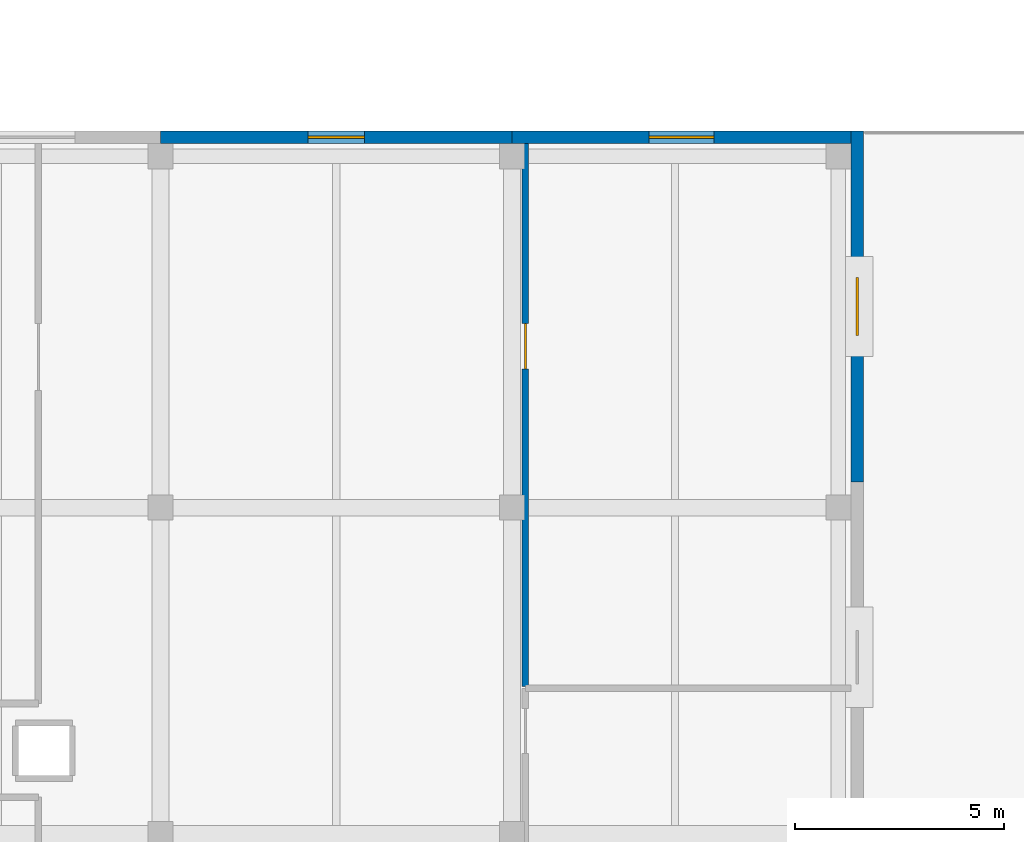
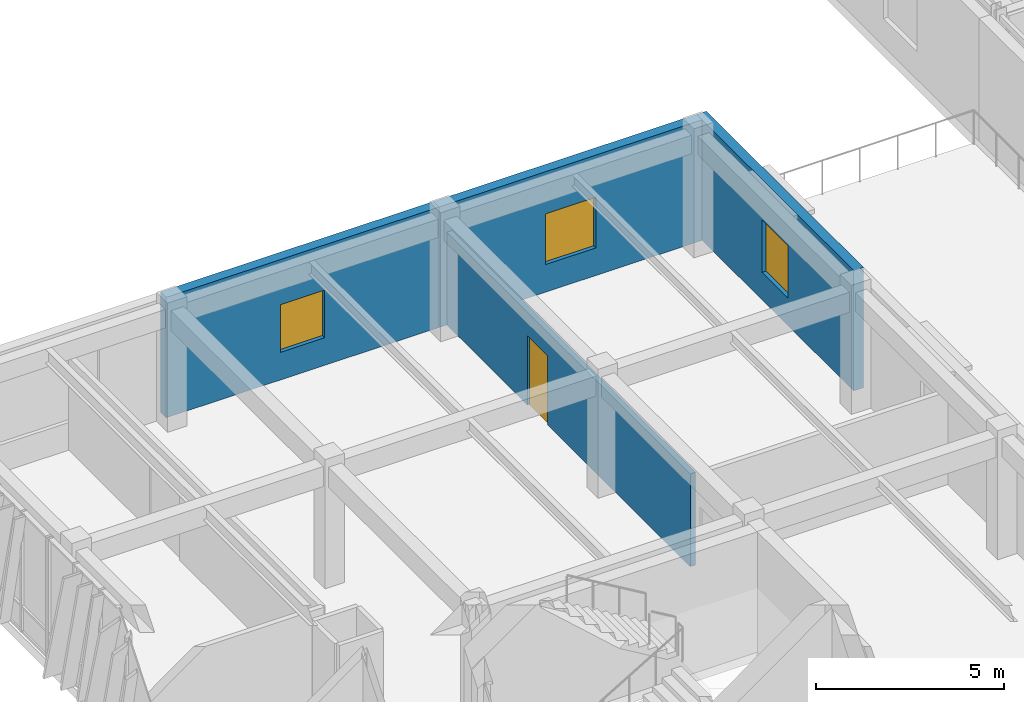
# One storey, part 110 of 127: 4 walls, 3 windows, 1 door, 4 openings.
"""IFC4 building model written with IfcOpenShell, lengths in metres."""

from ifc_helpers import new_model, si_unit, direction, frame, frame_2d, origin, place, context, subcontext, project, spatial, rectangle, extrude, material, layer, layer_set, type_object, element, fill, save


model = new_model("IFC4")

# Units and contexts
model_context = context("Model", 3, precision=1e-05, world=origin(), true_north=direction((0.0, 1.0)))
body_context = subcontext(model_context, "Body", "Model", "MODEL_VIEW")
ifc_project = project(units=[si_unit("LENGTHUNIT", "METRE"), si_unit("AREAUNIT", "SQUARE_METRE"), si_unit("VOLUMEUNIT", "CUBIC_METRE"), si_unit("PLANEANGLEUNIT", "RADIAN"), si_unit("MASSUNIT", "GRAM", prefix="KILO")], contexts=[model_context])

# Site, building, storey
site_placement = place(None, origin())
site = spatial("IfcSite", under=ifc_project, at=site_placement, CompositionType="ELEMENT")
building_placement = place(site_placement, origin())
building = spatial("IfcBuilding", under=site, at=building_placement, Name="Zayran Congress Hotel", CompositionType="ELEMENT")
storey_placement = place(building_placement, frame((0.0, 0.0, 10.800048828125)))
storey = spatial("IfcBuildingStorey", under=building, at=storey_placement, Name="L02", CompositionType="ELEMENT", Elevation=10.800048828125)

# Wall, opening, window
ifc_material_1 = material(Name="Ajlun white limestone and insulated concrete C32/40", Category="masonry")
ifc_layer_1 = layer(ifc_material_1, 0.300048828125)
ifc_layer_set_1 = layer_set([ifc_layer_1], Name="Ajlun white limestone and insulated concrete C32/40")
wall_type_1 = type_object("IfcWallType", Name="WL-EX-300", PredefinedType="SOLIDWALL", material=ifc_layer_set_1)
wall_1_placement = place(storey_placement, frame((117.60009765625, 109.449951171875, 0.0), z_axis=(0.0, 0.0, 1.0), x_axis=(1.0, 0.0, 0.0)))
wall_1 = element("IfcWall", 1, at=wall_1_placement, inside=storey, type_object=wall_type_1, Name="EW-V4-N-L02-1", PredefinedType="SOLIDWALL", context=body_context, shape_type="SweptSolid", body=[
    extrude(rectangle(XDim=8.39990234375, YDim=0.300048828125, at=frame_2d((4.199951171875, 0.0))), origin(), (0.0, 0.0, 1.0), 3.919921875),
])
opening_1_placement = place(wall_1_placement, frame((3.52490234375, 0.0, 0.89990234375)))
opening_1 = element("IfcOpeningElement", 2, at=opening_1_placement, cuts=wall_1, Name="Opening WN-24", PredefinedType="OPENING", context=body_context, shape_type="SweptSolid", body=[
    extrude(rectangle(XDim=1.35009765625, YDim=1.550048828125, at=frame_2d((0.675048828125, 0.77490234375))), frame((0.0, 0.159912109375, 0.0), z_axis=(0.0, -1.0, 0.0), x_axis=(1.0, 0.0, 0.0)), (0.0, 0.0, 1.0), 0.320068359375),
])
ifc_material_2 = material(Name="Anodised aluminium and low-E insulated glass", Category="aluminium")
window_type_1 = type_object("IfcWindowType", Name="TP-WN-24", PartitioningType="SINGLE_PANEL", PredefinedType="WINDOW", material=ifc_material_2)
window_1_placement = place(opening_1_placement, origin())
window_1 = element("IfcWindow", 3, at=window_1_placement, inside=storey, type_object=window_type_1, Name="WIN-V4-0136", OverallHeight=1.550048828125, OverallWidth=1.35009765625, PartitioningType="SINGLE_PANEL", PredefinedType="WINDOW", context=body_context, shape_type="SweptSolid", body=[
    extrude(rectangle(XDim=1.35009765625, YDim=1.550048828125, at=frame_2d((0.675048828125, 0.77490234375))), frame((0.0, 0.030029296875, 0.0), z_axis=(0.0, -1.0, 0.0), x_axis=(1.0, 0.0, 0.0)), (0.0, 0.0, 1.0), 0.06005859375),
])
fill(opening_1, window_1)

wall_2_placement = place(storey_placement, frame((126.0, 109.449951171875, 0.0), z_axis=(0.0, 0.0, 1.0), x_axis=(1.0, 0.0, 0.0)))
wall_2 = element("IfcWall", 4, at=wall_2_placement, inside=storey, type_object=wall_type_1, Name="EW-V4-N-L02-2", PredefinedType="SOLIDWALL", context=body_context, shape_type="SweptSolid", body=[
    extrude(rectangle(XDim=8.10009765625, YDim=0.300048828125, at=frame_2d((4.050048828125, 0.0))), origin(), (0.0, 0.0, 1.0), 3.919921875),
])
opening_2_placement = place(wall_2_placement, frame((3.27490234375, 0.0, 0.89990234375)))
opening_2 = element("IfcOpeningElement", 5, at=opening_2_placement, cuts=wall_2, Name="Opening WN-26", PredefinedType="OPENING", context=body_context, shape_type="SweptSolid", body=[
    extrude(rectangle(XDim=1.550048828125, YDim=1.64990234375, at=frame_2d((0.77490234375, 0.824951171875))), frame((0.0, 0.159912109375, 0.0), z_axis=(0.0, -1.0, 0.0), x_axis=(1.0, 0.0, 0.0)), (0.0, 0.0, 1.0), 0.320068359375),
])
window_type_2 = type_object("IfcWindowType", Name="TP-WN-26", PartitioningType="SINGLE_PANEL", PredefinedType="WINDOW", material=ifc_material_2)
window_2_placement = place(opening_2_placement, origin())
window_2 = element("IfcWindow", 6, at=window_2_placement, inside=storey, type_object=window_type_2, Name="WIN-V4-0138", OverallHeight=1.64990234375, OverallWidth=1.550048828125, PartitioningType="SINGLE_PANEL", PredefinedType="WINDOW", context=body_context, shape_type="SweptSolid", body=[
    extrude(rectangle(XDim=1.550048828125, YDim=1.64990234375, at=frame_2d((0.77490234375, 0.824951171875))), frame((0.0, 0.030029296875, 0.0), z_axis=(0.0, -1.0, 0.0), x_axis=(1.0, 0.0, 0.0)), (0.0, 0.0, 1.0), 0.06005859375),
])
fill(opening_2, window_2)

wall_3_placement = place(storey_placement, frame((134.25, 109.60009765625, 0.0), z_axis=(0.0, 0.0, 1.0), x_axis=(0.0, -1.0, 0.0)))
wall_3 = element("IfcWall", 7, at=wall_3_placement, inside=storey, type_object=wall_type_1, Name="EW-V4-E-L02-7", PredefinedType="SOLIDWALL", context=body_context, shape_type="SweptSolid", body=[
    extrude(rectangle(XDim=8.381103515625, YDim=0.300048828125, at=frame_2d((4.1904296875, 0.0))), origin(), (0.0, 0.0, 1.0), 3.919921875),
])
opening_3_placement = place(wall_3_placement, frame((3.5009765625, 0.0, 0.89990234375)))
opening_3 = element("IfcOpeningElement", 8, at=opening_3_placement, cuts=wall_3, Name="Opening WN-33", PredefinedType="OPENING", context=body_context, shape_type="SweptSolid", body=[
    extrude(rectangle(XDim=1.3798828125, YDim=1.699951171875, at=frame_2d((0.68994140625, 0.85009765625))), frame((0.0, 0.159912109375, 0.0), z_axis=(0.0, -1.0, 0.0), x_axis=(1.0, 0.0, 0.0)), (0.0, 0.0, 1.0), 0.320068359375),
])
window_type_3 = type_object("IfcWindowType", Name="TP-WN-33", PartitioningType="SINGLE_PANEL", PredefinedType="WINDOW", material=ifc_material_2)
window_3_placement = place(opening_3_placement, origin())
window_3 = element("IfcWindow", 9, at=window_3_placement, inside=storey, type_object=window_type_3, Name="WIN-V4-0146", OverallHeight=1.699951171875, OverallWidth=1.3798828125, PartitioningType="SINGLE_PANEL", PredefinedType="WINDOW", context=body_context, shape_type="SweptSolid", body=[
    extrude(rectangle(XDim=1.3798828125, YDim=1.699951171875, at=frame_2d((0.68994140625, 0.85009765625))), frame((0.0, 0.030029296875, 0.0), z_axis=(0.0, -1.0, 0.0), x_axis=(1.0, 0.0, 0.0)), (0.0, 0.0, 1.0), 0.06005859375),
])
fill(opening_3, window_3)

# Wall, opening, door
ifc_material_3 = material(Name="Acoustic twin-stud gypsum partition", Category="gypsum")
ifc_layer_2 = layer(ifc_material_3, 0.159912109375)
ifc_layer_set_2 = layer_set([ifc_layer_2], Name="Acoustic twin-stud gypsum partition")
wall_type_2 = type_object("IfcWallType", Name="WL-PT-160", PredefinedType="PARTITIONING", material=ifc_layer_set_2)
wall_4_placement = place(storey_placement, frame((126.320068359375, 96.320068359375, 0.0), z_axis=(0.0, 0.0, 1.0), x_axis=(0.0, 1.0, 0.0)))
wall_4 = element("IfcWall", 10, at=wall_4_placement, inside=storey, type_object=wall_type_2, Name="IW-L02-0512", PredefinedType="PARTITIONING", context=body_context, shape_type="SweptSolid", body=[
    extrude(rectangle(XDim=12.97998046875, YDim=0.159912109375, at=frame_2d((6.489990234375, 0.0))), origin(), (0.0, 0.0, 1.0), 3.02001953125),
])
opening_4_placement = place(wall_4_placement, frame((7.60009765625, 0.0, 0.0)))
opening_4 = element("IfcOpeningElement", 11, at=opening_4_placement, cuts=wall_4, Name="Opening DR-MT-01", PredefinedType="OPENING", context=body_context, shape_type="SweptSolid", body=[
    extrude(rectangle(XDim=1.080078125, YDim=2.25, at=frame_2d((0.5400390625, 1.125))), frame((0.0, 0.08984375, 0.0), z_axis=(0.0, -1.0, 0.0), x_axis=(1.0, 0.0, 0.0)), (0.0, 0.0, 1.0), 0.179931640625),
])
ifc_material_4 = material(Name="Acoustic timber seminar room door", Category="wood")
door_type = type_object("IfcDoorType", Name="TP-DR-MT-01", OperationType="NOTDEFINED", PredefinedType="DOOR", material=ifc_material_4)
door_placement = place(opening_4_placement, origin())
door = element("IfcDoor", 12, at=door_placement, inside=storey, type_object=door_type, Name="Meeting Room North L02-06 Door", OperationType="SINGLE_SWING_LEFT", OverallHeight=2.25, OverallWidth=1.080078125, PredefinedType="DOOR", context=body_context, shape_type="SweptSolid", body=[
    extrude(rectangle(XDim=1.080078125, YDim=2.25, at=frame_2d((0.5400390625, 1.125))), frame((0.0, 0.02490234375, 0.0), z_axis=(0.0, -1.0, 0.0), x_axis=(1.0, 0.0, 0.0)), (0.0, 0.0, 1.0), 0.050048828125),
])
fill(opening_4, door)

save(model, "model.ifc")
